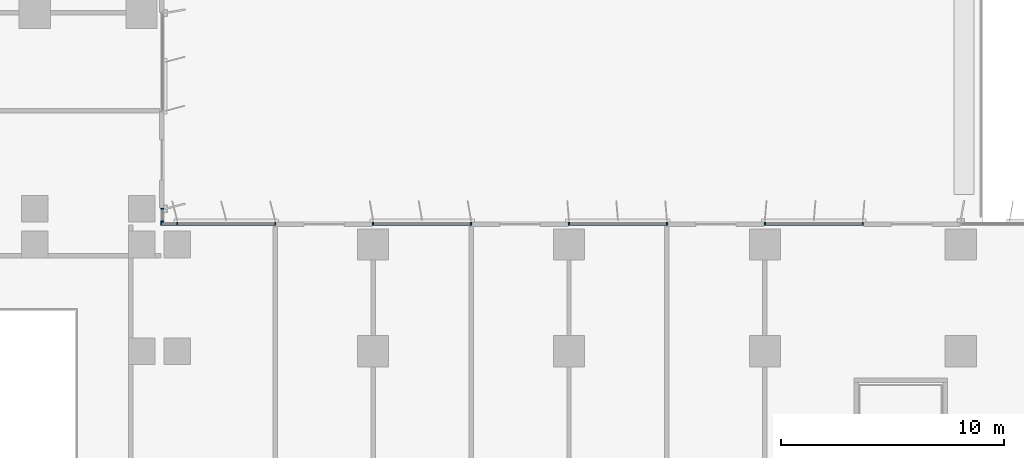
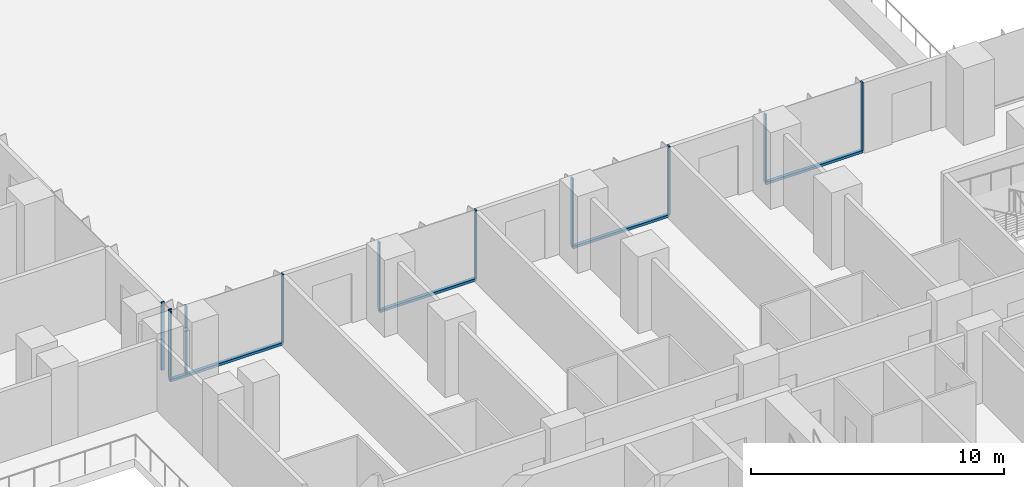
# One storey, part 2 of 23: 15 members, 5 elements without a shape of their own.
"""IFC4 building model written with IfcOpenShell, lengths in metres."""

from ifc_helpers import new_model, si_unit, direction, frame, origin, origin_2d, place, context, subcontext, project, spatial, rectangle, extrude, source, transform, mapped, material, material_profile, profile_set, type_object, element, aggregate, save


model = new_model("IFC4")

# Units and contexts
model_context = context("Model", 3, precision=1e-05, world=origin(), true_north=direction((0.0, 1.0)))
body_context = subcontext(model_context, "Body", "Model", "MODEL_VIEW")
ifc_project = project(units=[si_unit("LENGTHUNIT", "METRE"), si_unit("AREAUNIT", "SQUARE_METRE"), si_unit("VOLUMEUNIT", "CUBIC_METRE"), si_unit("PLANEANGLEUNIT", "RADIAN"), si_unit("MASSUNIT", "GRAM", prefix="KILO")], contexts=[model_context])

# Site, building, storey
site_placement = place(None, origin())
site = spatial("IfcSite", under=ifc_project, at=site_placement, CompositionType="ELEMENT")
building_placement = place(site_placement, origin())
building = spatial("IfcBuilding", under=site, at=building_placement, Name="Kemantara Hotel Tower", CompositionType="ELEMENT")
storey_placement = place(building_placement, frame((0.0, 0.0, 34.0)))
storey = spatial("IfcBuildingStorey", under=building, at=storey_placement, Name="L06", CompositionType="ELEMENT", Elevation=34.0)

# Curtain wall, member
ifc_material_1 = material(Name="Toughened tinted glass 32 mm", Category="glass")
curtain_wall_type = type_object("IfcCurtainWallType", Name="TERRACE GLAZING WALL", PredefinedType="USERDEFINED", material=ifc_material_1)
curtain_wall_1_placement = place(storey_placement, origin())
curtain_wall_1 = element("IfcCurtainWall", 1, at=curtain_wall_1_placement, inside=storey, type_object=curtain_wall_type, Name="CW6 L06 T1-R07-2", ObjectType="TERRACE GLAZING WALL", PredefinedType="USERDEFINED")
ifc_material_2 = material(Name="Aluminium 6063-T6 bronze anodised", Category="aluminium")
ifc_material_profile_1 = material_profile(ifc_material_2, rectangle(XDim=0.14990234375, YDim=0.1201171875, at=origin_2d()), Name="TERRACE GLAZING WALL TRANSOM")
ifc_profile_set_1 = profile_set([ifc_material_profile_1], Name="Aluminium 6063-T6 bronze anodised")
member_type_1 = type_object("IfcMemberType", Name="TERRACE GLAZING WALL TRANSOM", PredefinedType="USERDEFINED", material=ifc_profile_set_1)
member_1_placement = place(storey_placement, frame((58.199951171875, 26.72509765625, 0.06005859375), z_axis=(-1.0, 0.0, 0.0), x_axis=(0.0, -1.0, 0.0)))
member_1 = element("IfcMember", 2, at=member_1_placement, type_object=member_type_1, Name="CW6 sill transom T1-R07-2", ObjectType="TRANSOM", PredefinedType="USERDEFINED", context=body_context, shape_type="SweptSolid", body=[
    extrude(rectangle(XDim=0.14990234375, YDim=0.1201171875, at=origin_2d()), origin(), (0.0, 0.0, 1.0), 4.39990234375),
])

curtain_wall_2_placement = place(storey_placement, origin())
curtain_wall_2 = element("IfcCurtainWall", 3, at=curtain_wall_2_placement, inside=storey, type_object=curtain_wall_type, Name="CW6 L06 T1-R07-3", ObjectType="TERRACE GLAZING WALL", PredefinedType="USERDEFINED")
member_2_placement = place(storey_placement, frame((49.39990234375, 26.72509765625, 0.06005859375), z_axis=(-1.0, 0.0, 0.0), x_axis=(0.0, -1.0, 0.0)))
member_2 = element("IfcMember", 4, at=member_2_placement, type_object=member_type_1, Name="CW6 sill transom T1-R07-3", ObjectType="TRANSOM", PredefinedType="USERDEFINED", context=body_context, shape_type="SweptSolid", body=[
    extrude(rectangle(XDim=0.14990234375, YDim=0.1201171875, at=origin_2d()), origin(), (0.0, 0.0, 1.0), 4.39990234375),
])

curtain_wall_3_placement = place(storey_placement, origin())
curtain_wall_3 = element("IfcCurtainWall", 5, at=curtain_wall_3_placement, inside=storey, type_object=curtain_wall_type, Name="CW6 L06 T1-R07-4", ObjectType="TERRACE GLAZING WALL", PredefinedType="USERDEFINED")
member_3_placement = place(storey_placement, frame((40.60009765625, 26.72509765625, 0.06005859375), z_axis=(-1.0, 0.0, 0.0), x_axis=(0.0, -1.0, 0.0)))
member_3 = element("IfcMember", 6, at=member_3_placement, type_object=member_type_1, Name="CW6 sill transom T1-R07-4", ObjectType="TRANSOM", PredefinedType="USERDEFINED", context=body_context, shape_type="SweptSolid", body=[
    extrude(rectangle(XDim=0.14990234375, YDim=0.1201171875, at=origin_2d()), origin(), (0.0, 0.0, 1.0), 4.400146484375),
])

curtain_wall_4_placement = place(storey_placement, origin())
curtain_wall_4 = element("IfcCurtainWall", 7, at=curtain_wall_4_placement, inside=storey, type_object=curtain_wall_type, Name="CW6 L06 T1-R07-5", ObjectType="TERRACE GLAZING WALL", PredefinedType="USERDEFINED")
member_4_placement = place(storey_placement, frame((31.800048828125, 26.72509765625, 0.06005859375), z_axis=(-1.0, 0.0, 0.0), x_axis=(0.0, -1.0, 0.0)))
member_4 = element("IfcMember", 8, at=member_4_placement, type_object=member_type_1, Name="CW6 sill transom T1-R07-5", ObjectType="TRANSOM", PredefinedType="USERDEFINED", context=body_context, shape_type="SweptSolid", body=[
    extrude(rectangle(XDim=0.14990234375, YDim=0.1201171875, at=origin_2d()), origin(), (0.0, 0.0, 1.0), 5.150146484375),
])

# Member
ifc_material_profile_2 = material_profile(ifc_material_2, rectangle(XDim=0.14990234375, YDim=0.06005859375, at=origin_2d()), Name="TERRACE GLAZING WALL MULLION")
ifc_profile_set_2 = profile_set([ifc_material_profile_2], Name="Aluminium 6063-T6 bronze anodised")
member_type_2 = type_object("IfcMemberType", Name="TERRACE GLAZING WALL MULLION", PredefinedType="MULLION", material=ifc_profile_set_2)
shared_shape = source(origin(), body_context, "Body", "SweptSolid", [
    extrude(rectangle(XDim=0.14990234375, YDim=0.06005859375, at=origin_2d()), origin(), (0.0, 0.0, 1.0), 3.27978515625),
])
member_5_placement = place(storey_placement, frame((58.199951171875, 26.72509765625, 0.1201171875), z_axis=(0.0, 0.0, 1.0), x_axis=(0.0, -1.0, 0.0)))
member_5 = element("IfcMember", 9, at=member_5_placement, type_object=member_type_2, Name="CW6 mullion T1-R07-2.1", PredefinedType="MULLION", context=body_context, shape_type="MappedRepresentation", body=[
    mapped(shared_shape, transform((0.0, 0.0, 0.0))),
])

member_6_placement = place(storey_placement, frame((53.800048828125, 26.72509765625, 0.1201171875), z_axis=(0.0, 0.0, 1.0), x_axis=(0.0, -1.0, 0.0)))
member_6 = element("IfcMember", 10, at=member_6_placement, type_object=member_type_2, Name="CW6 mullion T1-R07-2.2", PredefinedType="MULLION", context=body_context, shape_type="MappedRepresentation", body=[
    mapped(shared_shape, transform((0.0, 0.0, 0.0))),
])

aggregate(curtain_wall_1, [member_1, member_5, member_6])

member_7_placement = place(storey_placement, frame((49.39990234375, 26.72509765625, 0.1201171875), z_axis=(0.0, 0.0, 1.0), x_axis=(0.0, -1.0, 0.0)))
member_7 = element("IfcMember", 11, at=member_7_placement, type_object=member_type_2, Name="CW6 mullion T1-R07-3.1", PredefinedType="MULLION", context=body_context, shape_type="MappedRepresentation", body=[
    mapped(shared_shape, transform((0.0, 0.0, 0.0))),
])

member_8_placement = place(storey_placement, frame((45.0, 26.72509765625, 0.1201171875), z_axis=(0.0, 0.0, 1.0), x_axis=(0.0, -1.0, 0.0)))
member_8 = element("IfcMember", 12, at=member_8_placement, type_object=member_type_2, Name="CW6 mullion T1-R07-3.2", PredefinedType="MULLION", context=body_context, shape_type="MappedRepresentation", body=[
    mapped(shared_shape, transform((0.0, 0.0, 0.0))),
])

aggregate(curtain_wall_2, [member_2, member_7, member_8])

member_9_placement = place(storey_placement, frame((40.60009765625, 26.72509765625, 0.1201171875), z_axis=(0.0, 0.0, 1.0), x_axis=(0.0, -1.0, 0.0)))
member_9 = element("IfcMember", 13, at=member_9_placement, type_object=member_type_2, Name="CW6 mullion T1-R07-4.1", PredefinedType="MULLION", context=body_context, shape_type="MappedRepresentation", body=[
    mapped(shared_shape, transform((0.0, 0.0, 0.0))),
])

member_10_placement = place(storey_placement, frame((36.199951171875, 26.72509765625, 0.1201171875), z_axis=(0.0, 0.0, 1.0), x_axis=(0.0, -1.0, 0.0)))
member_10 = element("IfcMember", 14, at=member_10_placement, type_object=member_type_2, Name="CW6 mullion T1-R07-4.2", PredefinedType="MULLION", context=body_context, shape_type="MappedRepresentation", body=[
    mapped(shared_shape, transform((0.0, 0.0, 0.0))),
])

aggregate(curtain_wall_3, [member_3, member_9, member_10])

member_11_placement = place(storey_placement, frame((31.800048828125, 26.72509765625, 0.1201171875), z_axis=(0.0, 0.0, 1.0), x_axis=(0.0, -1.0, 0.0)))
member_11 = element("IfcMember", 15, at=member_11_placement, type_object=member_type_2, Name="CW6 mullion T1-R07-5.1", PredefinedType="MULLION", context=body_context, shape_type="MappedRepresentation", body=[
    mapped(shared_shape, transform((0.0, 0.0, 0.0))),
])

member_12_placement = place(storey_placement, frame((27.39990234375, 26.72509765625, 0.1201171875), z_axis=(0.0, 0.0, 1.0), x_axis=(0.0, -1.0, 0.0)))
member_12 = element("IfcMember", 16, at=member_12_placement, type_object=member_type_2, Name="CW6 mullion T1-R07-5.2", PredefinedType="MULLION", context=body_context, shape_type="MappedRepresentation", body=[
    mapped(shared_shape, transform((0.0, 0.0, 0.0))),
])

member_13_placement = place(storey_placement, frame((26.679931640625, 26.72509765625, 0.1201171875), z_axis=(0.0, 0.0, 1.0), x_axis=(0.0, -1.0, 0.0)))
member_13 = element("IfcMember", 17, at=member_13_placement, type_object=member_type_2, Name="CW6 mullion T1-R07-5.3", PredefinedType="MULLION", context=body_context, shape_type="MappedRepresentation", body=[
    mapped(shared_shape, transform((0.0, 0.0, 0.0))),
])

aggregate(curtain_wall_4, [member_4, member_11, member_12, member_13])

# Curtain wall, members
curtain_wall_5_placement = place(storey_placement, origin())
curtain_wall_5 = element("IfcCurtainWall", 18, at=curtain_wall_5_placement, inside=storey, type_object=curtain_wall_type, Name="CW6 L06 T1-R08-1", ObjectType="TERRACE GLAZING WALL", PredefinedType="USERDEFINED")
member_14_placement = place(storey_placement, frame((26.72509765625, 26.830078125, 0.1201171875), z_axis=(0.0, 0.0, 1.0), x_axis=(-1.0, 0.0, 0.0)))
member_14 = element("IfcMember", 19, at=member_14_placement, type_object=member_type_2, Name="CW6 mullion T1-R08-1.1", PredefinedType="MULLION", context=body_context, shape_type="MappedRepresentation", body=[
    mapped(shared_shape, transform((0.0, 0.0, 0.0))),
])
member_15_placement = place(storey_placement, frame((26.72509765625, 27.39990234375, 0.1201171875), z_axis=(0.0, 0.0, 1.0), x_axis=(-1.0, 0.0, 0.0)))
member_15 = element("IfcMember", 20, at=member_15_placement, type_object=member_type_2, Name="CW6 mullion T1-R08-1.2", PredefinedType="MULLION", context=body_context, shape_type="MappedRepresentation", body=[
    mapped(shared_shape, transform((0.0, 0.0, 0.0))),
])
aggregate(curtain_wall_5, [member_14, member_15])

save(model, "model.ifc")
